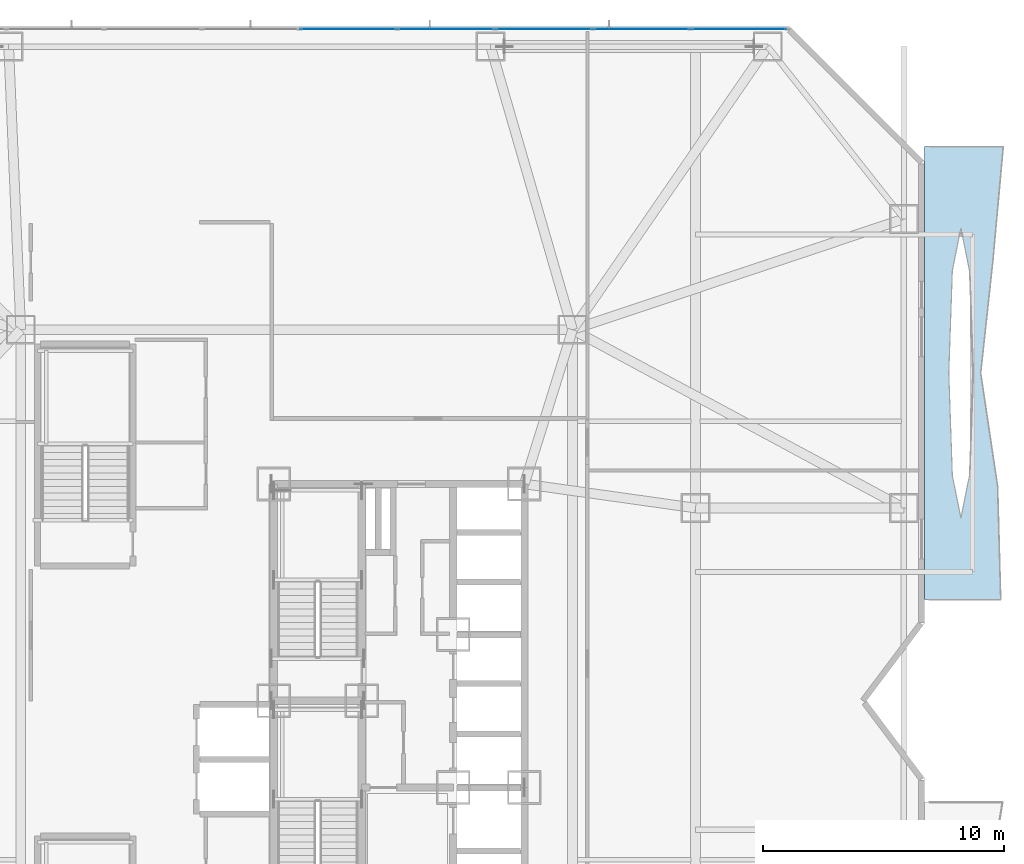
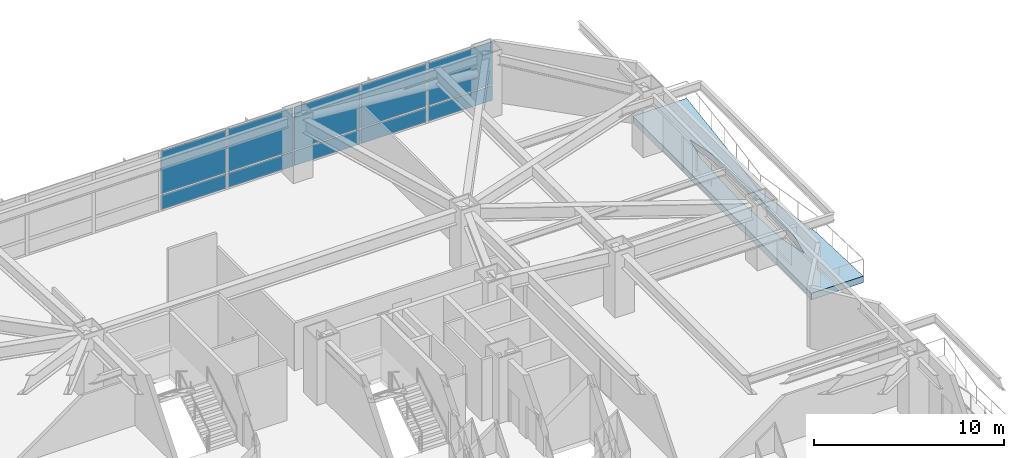
# One storey, part 13 of 25: 10 plates, 1 slab, 1 element without a shape of its own.
"""IFC4 building model written with IfcOpenShell, lengths in metres."""

from ifc_helpers import new_model, si_unit, direction, frame, origin, origin_2d, place, context, subcontext, project, spatial, polyline, rectangle, outline, extrude, material, layer, layer_set, type_object, element, aggregate, save


model = new_model("IFC4")

# Units and contexts
model_context = context("Model", 3, precision=1e-05, world=origin(), true_north=direction((0.0, 1.0)))
body_context = subcontext(model_context, "Body", "Model", "MODEL_VIEW")
ifc_project = project(units=[si_unit("LENGTHUNIT", "METRE"), si_unit("AREAUNIT", "SQUARE_METRE"), si_unit("VOLUMEUNIT", "CUBIC_METRE"), si_unit("PLANEANGLEUNIT", "RADIAN"), si_unit("MASSUNIT", "GRAM", prefix="KILO")], contexts=[model_context])

# Site, building, storey
site_placement = place(None, origin())
site = spatial("IfcSite", under=ifc_project, at=site_placement, CompositionType="ELEMENT")
building_placement = place(site_placement, origin())
building = spatial("IfcBuilding", under=site, at=building_placement, Name="Khamvora Tower", CompositionType="ELEMENT")
storey_placement = place(building_placement, frame((0.0, 0.0, 24.60009765625)))
storey = spatial("IfcBuildingStorey", under=building, at=storey_placement, Name="L05", CompositionType="ELEMENT", Elevation=24.60009765625)

# Curtain wall, plates
ifc_material_1 = material(Name="Anodised Aluminium 6063-T6", Category="aluminium")
curtain_wall_type = type_object("IfcCurtainWallType", Name="CW-SYS-01", PredefinedType="NOTDEFINED", material=ifc_material_1)
curtain_wall_placement = place(storey_placement, origin())
curtain_wall = element("IfcCurtainWall", 1, at=curtain_wall_placement, inside=storey, type_object=curtain_wall_type, Name="L05 stick curtain wall 07.1", PredefinedType="NOTDEFINED")
ifc_material_2 = material(Name="Low-E Laminated Double Glazing", Category="glass")
ifc_layer_1 = layer(ifc_material_2, 0.035888671875)
ifc_layer_set_1 = layer_set([ifc_layer_1], Name="Low-E Laminated Double Glazing")
plate_type = type_object("IfcPlateType", Name="CW-SYS-01-PNL", PredefinedType="CURTAIN_PANEL", material=ifc_layer_set_1)
plate_1_placement = place(storey_placement, frame((32.09521484375, 55.8798828125, 0.074951171875), z_axis=(0.0, 0.0, 1.0), x_axis=(1.0, 0.0, 0.0)))
plate_1 = element("IfcPlate", 2, at=plate_1_placement, type_object=plate_type, Name="CW-01 panel 7.1", PredefinedType="CURTAIN_PANEL", context=body_context, shape_type="SweptSolid", body=[
    extrude(rectangle(XDim=3.981689453125, YDim=0.035888671875, at=origin_2d()), origin(), (0.0, 0.0, 1.0), 0.9375),
])
plate_2_placement = place(storey_placement, frame((32.09521484375, 55.8798828125, 1.08740234375), z_axis=(0.0, 0.0, 1.0), x_axis=(1.0, 0.0, 0.0)))
plate_2 = element("IfcPlate", 3, at=plate_2_placement, type_object=plate_type, Name="CW-01 panel 7.2", PredefinedType="CURTAIN_PANEL", context=body_context, shape_type="SweptSolid", body=[
    extrude(rectangle(XDim=3.981689453125, YDim=0.035888671875, at=origin_2d()), origin(), (0.0, 0.0, 1.0), 2.757568359375),
])
plate_3_placement = place(storey_placement, frame((36.15185546875, 55.8798828125, 0.074951171875), z_axis=(0.0, 0.0, 1.0), x_axis=(1.0, 0.0, 0.0)))
plate_3 = element("IfcPlate", 4, at=plate_3_placement, type_object=plate_type, Name="CW-01 panel 8.1", PredefinedType="CURTAIN_PANEL", context=body_context, shape_type="SweptSolid", body=[
    extrude(rectangle(XDim=3.981689453125, YDim=0.035888671875, at=origin_2d()), origin(), (0.0, 0.0, 1.0), 0.9375),
])
plate_4_placement = place(storey_placement, frame((36.15185546875, 55.8798828125, 1.08740234375), z_axis=(0.0, 0.0, 1.0), x_axis=(1.0, 0.0, 0.0)))
plate_4 = element("IfcPlate", 5, at=plate_4_placement, type_object=plate_type, Name="CW-01 panel 8.2", PredefinedType="CURTAIN_PANEL", context=body_context, shape_type="SweptSolid", body=[
    extrude(rectangle(XDim=3.981689453125, YDim=0.035888671875, at=origin_2d()), origin(), (0.0, 0.0, 1.0), 2.757568359375),
])
plate_5_placement = place(storey_placement, frame((40.20849609375, 55.8798828125, 0.074951171875), z_axis=(0.0, 0.0, 1.0), x_axis=(1.0, 0.0, 0.0)))
plate_5 = element("IfcPlate", 6, at=plate_5_placement, type_object=plate_type, Name="CW-01 panel 9.1", PredefinedType="CURTAIN_PANEL", context=body_context, shape_type="SweptSolid", body=[
    extrude(rectangle(XDim=3.981689453125, YDim=0.035888671875, at=origin_2d()), origin(), (0.0, 0.0, 1.0), 0.9375),
])
plate_6_placement = place(storey_placement, frame((40.20849609375, 55.8798828125, 1.08740234375), z_axis=(0.0, 0.0, 1.0), x_axis=(1.0, 0.0, 0.0)))
plate_6 = element("IfcPlate", 7, at=plate_6_placement, type_object=plate_type, Name="CW-01 panel 9.2", PredefinedType="CURTAIN_PANEL", context=body_context, shape_type="SweptSolid", body=[
    extrude(rectangle(XDim=3.981689453125, YDim=0.035888671875, at=origin_2d()), origin(), (0.0, 0.0, 1.0), 2.757568359375),
])
plate_7_placement = place(storey_placement, frame((44.26513671875, 55.8798828125, 0.074951171875), z_axis=(0.0, 0.0, 1.0), x_axis=(1.0, 0.0, 0.0)))
plate_7 = element("IfcPlate", 8, at=plate_7_placement, type_object=plate_type, Name="CW-01 panel 10.1", PredefinedType="CURTAIN_PANEL", context=body_context, shape_type="SweptSolid", body=[
    extrude(rectangle(XDim=3.981689453125, YDim=0.035888671875, at=origin_2d()), origin(), (0.0, 0.0, 1.0), 0.9375),
])
plate_8_placement = place(storey_placement, frame((44.26513671875, 55.8798828125, 1.08740234375), z_axis=(0.0, 0.0, 1.0), x_axis=(1.0, 0.0, 0.0)))
plate_8 = element("IfcPlate", 9, at=plate_8_placement, type_object=plate_type, Name="CW-01 panel 10.2", PredefinedType="CURTAIN_PANEL", context=body_context, shape_type="SweptSolid", body=[
    extrude(rectangle(XDim=3.981689453125, YDim=0.035888671875, at=origin_2d()), origin(), (0.0, 0.0, 1.0), 2.757568359375),
])
plate_9_placement = place(storey_placement, frame((48.302978515625, 55.8798828125, 0.074951171875), z_axis=(0.0, 0.0, 1.0), x_axis=(1.0, 0.0, 0.0)))
plate_9 = element("IfcPlate", 10, at=plate_9_placement, type_object=plate_type, Name="CW-01 panel 11.1", PredefinedType="CURTAIN_PANEL", context=body_context, shape_type="SweptSolid", body=[
    extrude(rectangle(XDim=3.944091796875, YDim=0.035888671875, at=origin_2d()), origin(), (0.0, 0.0, 1.0), 0.9375),
])
plate_10_placement = place(storey_placement, frame((48.302978515625, 55.8798828125, 1.08740234375), z_axis=(0.0, 0.0, 1.0), x_axis=(1.0, 0.0, 0.0)))
plate_10 = element("IfcPlate", 11, at=plate_10_placement, type_object=plate_type, Name="CW-01 panel 11.2", PredefinedType="CURTAIN_PANEL", context=body_context, shape_type="SweptSolid", body=[
    extrude(rectangle(XDim=3.944091796875, YDim=0.035888671875, at=origin_2d()), origin(), (0.0, 0.0, 1.0), 2.757568359375),
])
aggregate(curtain_wall, [plate_1, plate_2, plate_3, plate_4, plate_5, plate_6, plate_7, plate_8, plate_9, plate_10])

# Slab
ifc_material_3 = material(Name="Concrete C40/50", Category="concrete")
ifc_layer_2 = layer(ifc_material_3, 0.419921875)
ifc_layer_set_2 = layer_set([ifc_layer_2], Name="Concrete C40/50")
slab_type = type_object("IfcSlabType", Name="SLB-GRD-420", PredefinedType="FLOOR", material=ifc_layer_set_2)
slab_placement = place(storey_placement, frame((0.0, 0.0, -0.420166015625)))
element("IfcSlab", 12, at=slab_placement, inside=storey, type_object=slab_type, Name="L05 external lens gallery slab EL2", PredefinedType="FLOOR", context=body_context, shape_type="SweptSolid", body=[
    extrude(outline(polyline([(59.1669921875, 32.199951171875), (59.0380859375, 36.89990234375), (58.3349609375, 41.60009765625), (58.845947265625, 46.300048828125), (59.27197265625, 51.0), (56.0, 51.0), (56.0, 32.199951171875), (59.1669921875, 32.199951171875)]), holes=[polyline([(58.01904296875, 41.60009765625), (57.87109375, 45.85400390625), (57.514892578125, 47.615966796875), (57.158935546875, 45.85400390625), (57.010986328125, 41.60009765625), (57.158935546875, 37.345947265625), (57.514892578125, 35.583984375), (57.87109375, 37.345947265625), (58.01904296875, 41.60009765625)])]), origin(), (0.0, 0.0, 1.0), 0.420166015625),
])

save(model, "model.ifc")
